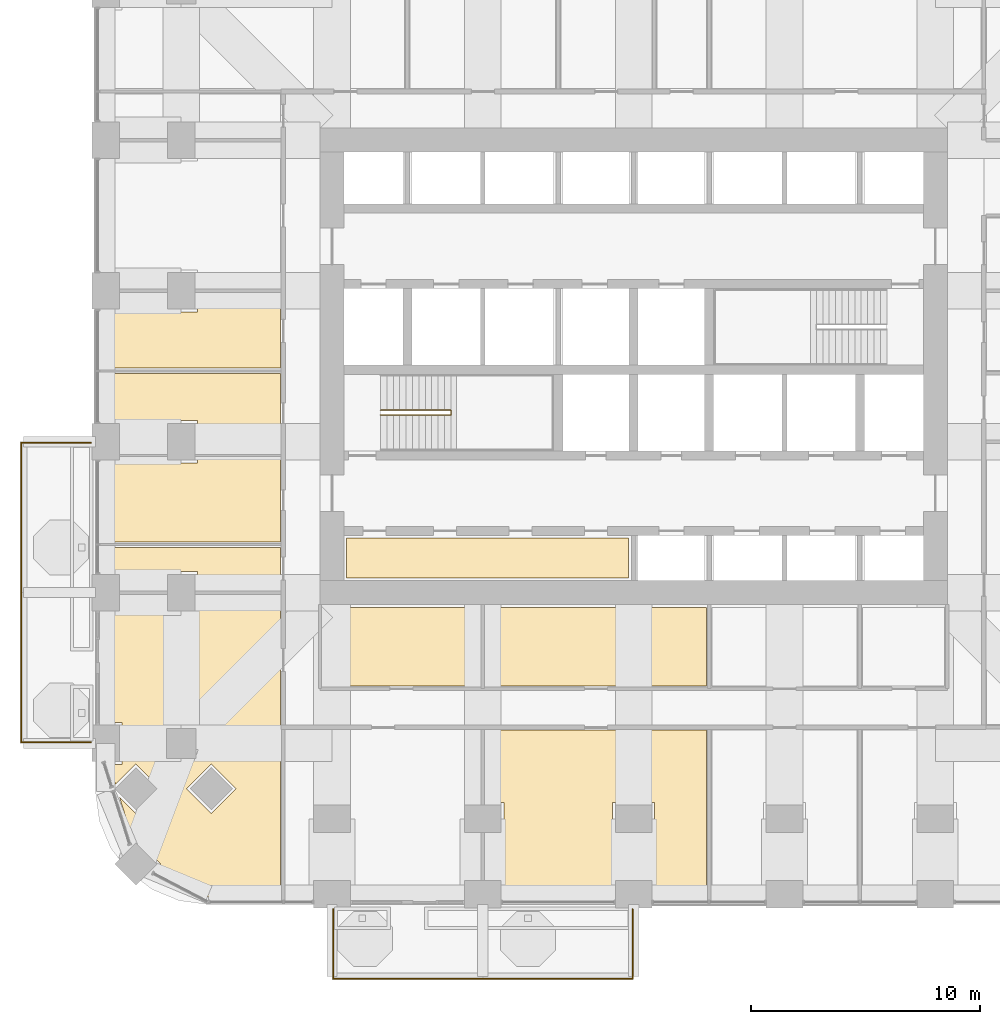
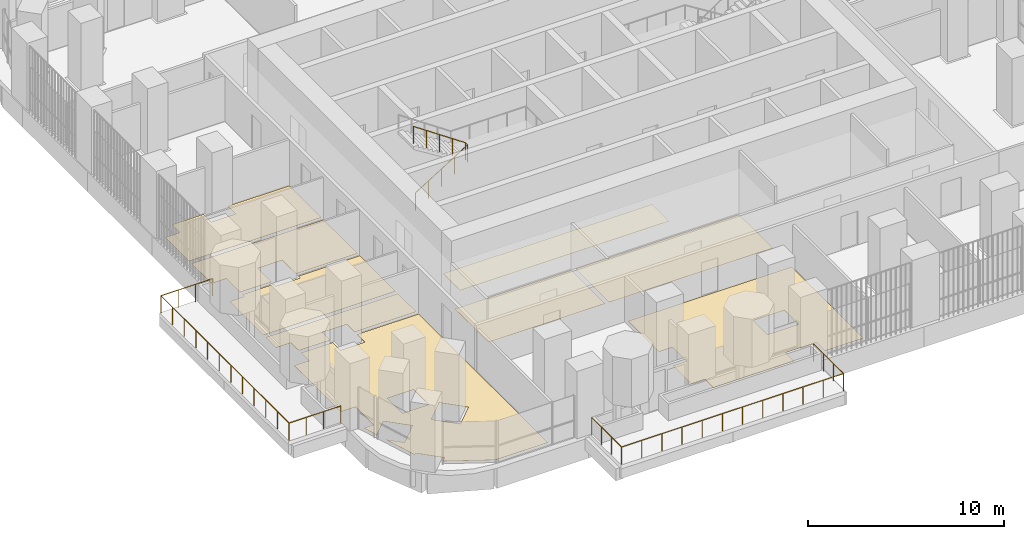
# One storey, part 17 of 21: 9 coverings, 3 railings.
"""IFC4 building model written with IfcOpenShell, lengths in metres."""

import ifcopenshell
import ifcopenshell.guid

model = None  # the IFC model being written
_history = None  # IfcOwnerHistory: only IFC2X3 demands one
_inside = {}  # id of a spatial element -> (the spatial element, [elements in it])
_under = {}  # id of a project, library or spatial element -> (it, [spatial elements below it])
_declared = {}  # id of a project -> (the project, [libraries it declares])
_typed = {}  # id of a type object -> (the type object, [elements of that type])
_made_of = {}  # id of a material, layer set ... -> (it, [elements and type objects made of it])


def new_model(schema):
    """Start an empty IFC model of exactly this schema.

    Asked for "IFC4X3", IfcOpenShell would pick the latest addendum, in which some entities
    have other attributes; the version numbers below select the first issue.
    IFC2X3 requires an IfcOwnerHistory on every rooted entity: one is made here for all.
    """
    global model, _history
    if schema == "IFC4X3":
        model = ifcopenshell.file(schema_version=(4, 3, 0, 0))
    else:
        model = ifcopenshell.file(schema=schema)
    _inside.clear()
    _under.clear()
    _declared.clear()
    _typed.clear()
    _made_of.clear()
    _history = None
    if model.schema == "IFC2X3":
        org = make("IfcOrganization", Name="unknown")
        user = make(
            "IfcPersonAndOrganization",
            ThePerson=make("IfcPerson", FamilyName="unknown"),
            TheOrganization=org,
        )
        app = make(
            "IfcApplication",
            ApplicationDeveloper=org,
            Version="unknown",
            ApplicationFullName="unknown",
            ApplicationIdentifier="unknown",
        )
        _history = make(
            "IfcOwnerHistory",
            OwningUser=user,
            OwningApplication=app,
            ChangeAction="ADDED",
            CreationDate=0,
        )
    return model


def make(cls, **values):
    """One entity of the class cls with the attributes given. An attribute that is None is left unset."""
    return model.create_entity(
        cls, **{name: value for name, value in values.items() if value is not None}
    )


def rooted(cls, **values):
    """An entity with a GlobalId (a new one), such as an element, a storey or a relation."""
    return make(cls, GlobalId=ifcopenshell.guid.new(), OwnerHistory=_history, **values)


def si_unit(unit_type, name, prefix=None):
    """IfcSIUnit, for example si_unit("LENGTHUNIT", "METRE", prefix="MILLI")."""
    return make("IfcSIUnit", UnitType=unit_type, Prefix=prefix, Name=name)


def assignment(units):
    """IfcUnitAssignment: the units of a project."""
    return None if units is None else make("IfcUnitAssignment", Units=units)


def point(xyz):
    """IfcCartesianPoint."""
    return None if xyz is None else make("IfcCartesianPoint", Coordinates=xyz)


def direction(xyz):
    """IfcDirection."""
    return None if xyz is None else make("IfcDirection", DirectionRatios=xyz)


def frame(location, z_axis=None, x_axis=None):
    """IfcAxis2Placement3D, a coordinate frame: its origin and axes. An axis left out is left unset."""
    return make(
        "IfcAxis2Placement3D",
        Location=point(location),
        Axis=direction(z_axis),
        RefDirection=direction(x_axis),
    )


def origin():
    """The frame at (0, 0, 0) with its axes left unset."""
    return frame((0.0, 0.0, 0.0))


def place(relative_to, where):
    """IfcLocalPlacement: puts the frame where relative to a parent placement (None: the world)."""
    return make(
        "IfcLocalPlacement", PlacementRelTo=relative_to, RelativePlacement=where
    )


def context(
    kind, dimensions, precision=None, world=None, true_north=None, identifier=None
):
    """IfcGeometricRepresentationContext, for example the 3D "Model" context."""
    return make(
        "IfcGeometricRepresentationContext",
        ContextIdentifier=identifier,
        ContextType=kind,
        CoordinateSpaceDimension=dimensions,
        Precision=precision,
        WorldCoordinateSystem=world,
        TrueNorth=true_north,
    )


def subcontext(parent, identifier, kind, view, scale=None):
    """IfcGeometricRepresentationSubContext, for example "Body" below "Model"."""
    return make(
        "IfcGeometricRepresentationSubContext",
        ContextIdentifier=identifier,
        ContextType=kind,
        ParentContext=parent,
        TargetScale=scale,
        TargetView=view,
    )


def project(units=None, contexts=None):
    """IfcProject with its units and contexts."""
    return rooted(
        "IfcProject",
        Name="project",
        RepresentationContexts=contexts,
        UnitsInContext=assignment(units),
    )


def spatial(cls, under=None, at=None, **own):
    """A site, building, storey or space (cls), placed at a placement, below another one or the project."""
    s = rooted(cls, ObjectPlacement=at, **own)
    if under is not None:
        _under.setdefault(under.id(), (under, []))[1].append(s)
    return s


def polyline(points):
    """IfcPolyline through the points."""
    return make("IfcPolyline", Points=[point(p) for p in points])


def outline(outer, holes=None, kind="AREA"):
    """IfcArbitraryClosedProfileDef: a profile drawn as a closed curve; with holes, ...WithVoids."""
    if holes is None:
        return make("IfcArbitraryClosedProfileDef", ProfileType=kind, OuterCurve=outer)
    return make(
        "IfcArbitraryProfileDefWithVoids",
        ProfileType=kind,
        OuterCurve=outer,
        InnerCurves=holes,
    )


def extrude(swept, where, along, depth):
    """IfcExtrudedAreaSolid: the profile swept, set in the frame where, extruded along a direction by depth."""
    return make(
        "IfcExtrudedAreaSolid",
        SweptArea=swept,
        Position=where,
        ExtrudedDirection=direction(along),
        Depth=depth,
    )


def shape(context_of_items, identifier, shape_type, items):
    """IfcShapeRepresentation: the items that make up one representation, for example the "Body"."""
    return make(
        "IfcShapeRepresentation",
        ContextOfItems=context_of_items,
        RepresentationIdentifier=identifier,
        RepresentationType=shape_type,
        Items=items,
    )


def material(Name=None, Category=None):
    """IfcMaterial."""
    return make("IfcMaterial", Name=Name, Category=Category)


def layer(
    of_material, thickness, ventilated=None, Name=None, Category=None, Priority=None
):
    """IfcMaterialLayer: one layer of a wall or slab, of a material (None: an air gap)."""
    return make(
        "IfcMaterialLayer",
        Material=of_material,
        LayerThickness=thickness,
        IsVentilated=ventilated,
        Name=Name,
        Category=Category,
        Priority=Priority,
    )


def layer_set(layers, Name=None):
    """IfcMaterialLayerSet."""
    return make("IfcMaterialLayerSet", MaterialLayers=layers, LayerSetName=Name)


def made_of(thing, what):
    """Note that an element or type object is made of a material, layer set ...; save() writes the relation."""
    if what is not None:
        _made_of.setdefault(what.id(), (what, []))[1].append(thing)
    return thing


def type_object(cls, material=None, **own):
    """A type object (cls), such as IfcWallType, which elements share."""
    return made_of(rooted(cls, **own), material)


def element(
    cls,
    number,
    at=None,
    inside=None,
    cuts=None,
    type_object=None,
    material=None,
    context=None,
    identifier="Body",
    shape_type=None,
    held_by="IfcProductDefinitionShape",
    body=None,
    shapes=None,
    **own,
):
    """One element of the class cls, such as IfcWall. Its Tag is "e" and its number.

    at: its placement. inside: the storey or other place that contains it. cuts: it is an
    opening in that element (IfcRelVoidsElement). A single representation is given by context,
    identifier, shape_type and body (its items); several are given by shapes. held_by: the class
    of the entity that holds the representations. save() writes the other relations.
    """
    e = rooted(cls, Tag="e%d" % number, ObjectPlacement=at, **own)
    if body is not None:
        shapes = [shape(context, identifier, shape_type, body)]
    if shapes is not None:
        e.Representation = make(held_by, Representations=shapes)
    if inside is not None:
        _inside.setdefault(inside.id(), (inside, []))[1].append(e)
    if cuts is not None:
        rooted(
            "IfcRelVoidsElement", RelatingBuildingElement=cuts, RelatedOpeningElement=e
        )
    if type_object is not None:
        _typed.setdefault(type_object.id(), (type_object, []))[1].append(e)
    return made_of(e, material)


def aggregate(whole, parts):
    """IfcRelAggregates: a whole, such as a stair, and the parts it consists of."""
    return rooted("IfcRelAggregates", RelatingObject=whole, RelatedObjects=parts)


def save(model, path):
    """Write the relations noted so far, then the file.

    IfcRelAggregates (storeys below a building ...), IfcRelContainedInSpatialStructure (elements
    in a storey), IfcRelDefinesByType, IfcRelAssociatesMaterial and IfcRelDeclares: one each for
    every whole, place, type object, material and project.
    """
    for whole, parts in _under.values():
        aggregate(whole, parts)
    for where, things in _inside.values():
        rooted(
            "IfcRelContainedInSpatialStructure",
            RelatedElements=things,
            RelatingStructure=where,
        )
    for kind, things in _typed.values():
        rooted("IfcRelDefinesByType", RelatedObjects=things, RelatingType=kind)
    for what, things in _made_of.values():
        rooted("IfcRelAssociatesMaterial", RelatedObjects=things, RelatingMaterial=what)
    for by, libraries in _declared.values():
        rooted("IfcRelDeclares", RelatingContext=by, RelatedDefinitions=libraries)
    model.write(path)


model = new_model("IFC4")

# Units and contexts
model_context = context("Model", 3, precision=1e-05, world=origin(), true_north=direction((0.0, 1.0)))
body_context = subcontext(model_context, "Body", "Model", "MODEL_VIEW")
ifc_project = project(units=[si_unit("LENGTHUNIT", "METRE"), si_unit("AREAUNIT", "SQUARE_METRE"), si_unit("VOLUMEUNIT", "CUBIC_METRE"), si_unit("PLANEANGLEUNIT", "RADIAN"), si_unit("MASSUNIT", "GRAM", prefix="KILO")], contexts=[model_context])

# Site, building, storey
site_placement = place(None, origin())
site = spatial("IfcSite", under=ifc_project, at=site_placement, CompositionType="ELEMENT")
building_placement = place(site_placement, origin())
building = spatial("IfcBuilding", under=site, at=building_placement, Name="Cobogo Forest Laboratory Tower", CompositionType="ELEMENT")
storey_placement = place(building_placement, frame((0.0, 0.0, 141.0)))
storey = spatial("IfcBuildingStorey", under=building, at=storey_placement, Name="L32", CompositionType="ELEMENT", Elevation=141.0)

# Railings
ifc_material_1 = material(Name="Laminated glass balustrade", Category="glass")
railing_type_1 = type_object("IfcRailingType", Name="BG1 glass balustrade 1100", PredefinedType="GUARDRAIL", material=ifc_material_1)
railing_1_placement = place(storey_placement, frame((13.25, -0.64990234375, 0.0)))
element("IfcRailing", 1, at=railing_1_placement, inside=storey, type_object=railing_type_1, Name="Balcony balustrade BAL-S1 L32", PredefinedType="GUARDRAIL", context=body_context, shape_type="SweptSolid", body=[
    extrude(outline(polyline([(0.022216796875, 0.00927734375), (0.00927734375, 0.022216796875), (-0.00927734375, 0.022216796875), (-0.022216796875, 0.00927734375), (-0.022216796875, -0.00927734375), (-0.00927734375, -0.022216796875), (0.00927734375, -0.022216796875), (0.022216796875, -0.00927734375), (0.022216796875, 0.00927734375)])), frame((0.0, 0.0, 1.077880859375), z_axis=(0.0, -1.0, 0.0), x_axis=(1.0, 0.0, 0.0)), (0.0, 0.0, 1.0), 3.050048828125),
    extrude(outline(polyline([(0.022216796875, 0.00927734375), (0.00927734375, 0.022216796875), (-0.00927734375, 0.022216796875), (-0.022216796875, 0.00927734375), (-0.022216796875, -0.00927734375), (-0.00927734375, -0.022216796875), (0.00927734375, -0.022216796875), (0.022216796875, -0.00927734375), (0.022216796875, 0.00927734375)])), frame((0.0, -3.050048828125, 1.077880859375), z_axis=(1.0, 0.0, 0.0), x_axis=(0.0, 1.0, 0.0)), (0.0, 0.0, 1.0), 13.10009765625),
    extrude(outline(polyline([(0.022216796875, 0.00927734375), (0.00927734375, 0.022216796875), (-0.00927734375, 0.022216796875), (-0.022216796875, 0.00927734375), (-0.022216796875, -0.00927734375), (-0.00927734375, -0.022216796875), (0.00927734375, -0.022216796875), (0.022216796875, -0.00927734375), (0.022216796875, 0.00927734375)])), frame((13.10009765625, -3.050048828125, 1.077880859375), z_axis=(0.0, 1.0, 0.0), x_axis=(-1.0, 0.0, 0.0)), (0.0, 0.0, 1.0), 3.050048828125),
    extrude(outline(polyline([(0.019287109375, 0.008056640625), (0.008056640625, 0.019287109375), (-0.008056640625, 0.019287109375), (-0.019287109375, 0.008056640625), (-0.019287109375, -0.008056640625), (-0.008056640625, -0.019287109375), (0.008056640625, -0.019287109375), (0.019287109375, -0.008056640625), (0.019287109375, 0.008056640625)])), origin(), (0.0, 0.0, 1.0), 1.077880859375),
    extrude(outline(polyline([(0.019287109375, 0.008056640625), (0.008056640625, 0.019287109375), (-0.008056640625, 0.019287109375), (-0.019287109375, 0.008056640625), (-0.019287109375, -0.008056640625), (-0.008056640625, -0.019287109375), (0.008056640625, -0.019287109375), (0.019287109375, -0.008056640625), (0.019287109375, 0.008056640625)])), frame((0.0, -1.0166015625, 0.0)), (0.0, 0.0, 1.0), 1.077880859375),
    extrude(outline(polyline([(0.019287109375, 0.008056640625), (0.008056640625, 0.019287109375), (-0.008056640625, 0.019287109375), (-0.019287109375, 0.008056640625), (-0.019287109375, -0.008056640625), (-0.008056640625, -0.019287109375), (0.008056640625, -0.019287109375), (0.019287109375, -0.008056640625), (0.019287109375, 0.008056640625)])), frame((0.0, -2.033447265625, 0.0)), (0.0, 0.0, 1.0), 1.077880859375),
    extrude(outline(polyline([(0.019287109375, 0.008056640625), (0.008056640625, 0.019287109375), (-0.008056640625, 0.019287109375), (-0.019287109375, 0.008056640625), (-0.019287109375, -0.008056640625), (-0.008056640625, -0.019287109375), (0.008056640625, -0.019287109375), (0.019287109375, -0.008056640625), (0.019287109375, 0.008056640625)])), frame((0.0, -3.050048828125, 0.0)), (0.0, 0.0, 1.0), 1.077880859375),
    extrude(outline(polyline([(0.019287109375, 0.008056640625), (0.008056640625, 0.019287109375), (-0.008056640625, 0.019287109375), (-0.019287109375, 0.008056640625), (-0.019287109375, -0.008056640625), (-0.008056640625, -0.019287109375), (0.008056640625, -0.019287109375), (0.019287109375, -0.008056640625), (0.019287109375, 0.008056640625)])), frame((1.19091796875, -3.050048828125, 0.0)), (0.0, 0.0, 1.0), 1.077880859375),
    extrude(outline(polyline([(0.019287109375, 0.008056640625), (0.008056640625, 0.019287109375), (-0.008056640625, 0.019287109375), (-0.019287109375, 0.008056640625), (-0.019287109375, -0.008056640625), (-0.008056640625, -0.019287109375), (0.008056640625, -0.019287109375), (0.019287109375, -0.008056640625), (0.019287109375, 0.008056640625)])), frame((2.3818359375, -3.050048828125, 0.0)), (0.0, 0.0, 1.0), 1.077880859375),
    extrude(outline(polyline([(0.019287109375, 0.008056640625), (0.008056640625, 0.019287109375), (-0.008056640625, 0.019287109375), (-0.019287109375, 0.008056640625), (-0.019287109375, -0.008056640625), (-0.008056640625, -0.019287109375), (0.008056640625, -0.019287109375), (0.019287109375, -0.008056640625), (0.019287109375, 0.008056640625)])), frame((3.57275390625, -3.050048828125, 0.0)), (0.0, 0.0, 1.0), 1.077880859375),
    extrude(outline(polyline([(0.019287109375, 0.008056640625), (0.008056640625, 0.019287109375), (-0.008056640625, 0.019287109375), (-0.019287109375, 0.008056640625), (-0.019287109375, -0.008056640625), (-0.008056640625, -0.019287109375), (0.008056640625, -0.019287109375), (0.019287109375, -0.008056640625), (0.019287109375, 0.008056640625)])), frame((4.763671875, -3.050048828125, 0.0)), (0.0, 0.0, 1.0), 1.077880859375),
    extrude(outline(polyline([(0.019287109375, 0.008056640625), (0.008056640625, 0.019287109375), (-0.008056640625, 0.019287109375), (-0.019287109375, 0.008056640625), (-0.019287109375, -0.008056640625), (-0.008056640625, -0.019287109375), (0.008056640625, -0.019287109375), (0.019287109375, -0.008056640625), (0.019287109375, 0.008056640625)])), frame((5.95458984375, -3.050048828125, 0.0)), (0.0, 0.0, 1.0), 1.077880859375),
    extrude(outline(polyline([(0.019287109375, 0.008056640625), (0.008056640625, 0.019287109375), (-0.008056640625, 0.019287109375), (-0.019287109375, 0.008056640625), (-0.019287109375, -0.008056640625), (-0.008056640625, -0.019287109375), (0.008056640625, -0.019287109375), (0.019287109375, -0.008056640625), (0.019287109375, 0.008056640625)])), frame((7.1455078125, -3.050048828125, 0.0)), (0.0, 0.0, 1.0), 1.077880859375),
    extrude(outline(polyline([(0.019287109375, 0.008056640625), (0.008056640625, 0.019287109375), (-0.008056640625, 0.019287109375), (-0.019287109375, 0.008056640625), (-0.019287109375, -0.008056640625), (-0.008056640625, -0.019287109375), (0.008056640625, -0.019287109375), (0.019287109375, -0.008056640625), (0.019287109375, 0.008056640625)])), frame((8.33642578125, -3.050048828125, 0.0)), (0.0, 0.0, 1.0), 1.077880859375),
    extrude(outline(polyline([(0.019287109375, 0.008056640625), (0.008056640625, 0.019287109375), (-0.008056640625, 0.019287109375), (-0.019287109375, 0.008056640625), (-0.019287109375, -0.008056640625), (-0.008056640625, -0.019287109375), (0.008056640625, -0.019287109375), (0.019287109375, -0.008056640625), (0.019287109375, 0.008056640625)])), frame((9.52734375, -3.050048828125, 0.0)), (0.0, 0.0, 1.0), 1.077880859375),
    extrude(outline(polyline([(0.019287109375, 0.008056640625), (0.008056640625, 0.019287109375), (-0.008056640625, 0.019287109375), (-0.019287109375, 0.008056640625), (-0.019287109375, -0.008056640625), (-0.008056640625, -0.019287109375), (0.008056640625, -0.019287109375), (0.019287109375, -0.008056640625), (0.019287109375, 0.008056640625)])), frame((10.71826171875, -3.050048828125, 0.0)), (0.0, 0.0, 1.0), 1.077880859375),
    extrude(outline(polyline([(0.019287109375, 0.008056640625), (0.008056640625, 0.019287109375), (-0.008056640625, 0.019287109375), (-0.019287109375, 0.008056640625), (-0.019287109375, -0.008056640625), (-0.008056640625, -0.019287109375), (0.008056640625, -0.019287109375), (0.019287109375, -0.008056640625), (0.019287109375, 0.008056640625)])), frame((11.9091796875, -3.050048828125, 0.0)), (0.0, 0.0, 1.0), 1.077880859375),
    extrude(outline(polyline([(0.019287109375, 0.008056640625), (0.008056640625, 0.019287109375), (-0.008056640625, 0.019287109375), (-0.019287109375, 0.008056640625), (-0.019287109375, -0.008056640625), (-0.008056640625, -0.019287109375), (0.008056640625, -0.019287109375), (0.019287109375, -0.008056640625), (0.019287109375, 0.008056640625)])), frame((13.10009765625, -3.050048828125, 0.0)), (0.0, 0.0, 1.0), 1.077880859375),
    extrude(outline(polyline([(0.019287109375, 0.008056640625), (0.008056640625, 0.019287109375), (-0.008056640625, 0.019287109375), (-0.019287109375, 0.008056640625), (-0.019287109375, -0.008056640625), (-0.008056640625, -0.019287109375), (0.008056640625, -0.019287109375), (0.019287109375, -0.008056640625), (0.019287109375, 0.008056640625)])), frame((13.10009765625, -2.033447265625, 0.0)), (0.0, 0.0, 1.0), 1.077880859375),
    extrude(outline(polyline([(0.019287109375, 0.008056640625), (0.008056640625, 0.019287109375), (-0.008056640625, 0.019287109375), (-0.019287109375, 0.008056640625), (-0.019287109375, -0.008056640625), (-0.008056640625, -0.019287109375), (0.008056640625, -0.019287109375), (0.019287109375, -0.008056640625), (0.019287109375, 0.008056640625)])), frame((13.10009765625, -1.0166015625, 0.0)), (0.0, 0.0, 1.0), 1.077880859375),
    extrude(outline(polyline([(0.019287109375, 0.008056640625), (0.008056640625, 0.019287109375), (-0.008056640625, 0.019287109375), (-0.019287109375, 0.008056640625), (-0.019287109375, -0.008056640625), (-0.008056640625, -0.019287109375), (0.008056640625, -0.019287109375), (0.019287109375, -0.008056640625), (0.019287109375, 0.008056640625)])), frame((13.10009765625, 0.0, 0.0)), (0.0, 0.0, 1.0), 1.077880859375),
])
railing_2_placement = place(storey_placement, frame((2.64990234375, 6.64990234375, 0.0)))
element("IfcRailing", 2, at=railing_2_placement, inside=storey, type_object=railing_type_1, Name="Balcony balustrade BAL-W1 L32", PredefinedType="GUARDRAIL", context=body_context, shape_type="SweptSolid", body=[
    extrude(outline(polyline([(0.022216796875, 0.00927734375), (0.00927734375, 0.022216796875), (-0.00927734375, 0.022216796875), (-0.022216796875, 0.00927734375), (-0.022216796875, -0.00927734375), (-0.00927734375, -0.022216796875), (0.00927734375, -0.022216796875), (0.022216796875, -0.00927734375), (0.022216796875, 0.00927734375)])), frame((0.0, 0.0, 1.077880859375), z_axis=(-1.0, 0.0, 0.0), x_axis=(0.0, -1.0, 0.0)), (0.0, 0.0, 1.0), 3.0498046875),
    extrude(outline(polyline([(0.022216796875, 0.00927734375), (0.00927734375, 0.022216796875), (-0.00927734375, 0.022216796875), (-0.022216796875, 0.00927734375), (-0.022216796875, -0.00927734375), (-0.00927734375, -0.022216796875), (0.00927734375, -0.022216796875), (0.022216796875, -0.00927734375), (0.022216796875, 0.00927734375)])), frame((-3.0498046875, 0.0, 1.077880859375), z_axis=(0.0, 1.0, 0.0), x_axis=(-1.0, 0.0, 0.0)), (0.0, 0.0, 1.0), 13.10009765625),
    extrude(outline(polyline([(0.022216796875, 0.00927734375), (0.00927734375, 0.022216796875), (-0.00927734375, 0.022216796875), (-0.022216796875, 0.00927734375), (-0.022216796875, -0.00927734375), (-0.00927734375, -0.022216796875), (0.00927734375, -0.022216796875), (0.022216796875, -0.00927734375), (0.022216796875, 0.00927734375)])), frame((-3.0498046875, 13.10009765625, 1.077880859375), z_axis=(1.0, 0.0, 0.0), x_axis=(0.0, 1.0, 0.0)), (0.0, 0.0, 1.0), 3.0498046875),
    extrude(outline(polyline([(0.019287109375, 0.008056640625), (0.008056640625, 0.019287109375), (-0.008056640625, 0.019287109375), (-0.019287109375, 0.008056640625), (-0.019287109375, -0.008056640625), (-0.008056640625, -0.019287109375), (0.008056640625, -0.019287109375), (0.019287109375, -0.008056640625), (0.019287109375, 0.008056640625)])), origin(), (0.0, 0.0, 1.0), 1.077880859375),
    extrude(outline(polyline([(0.019287109375, 0.008056640625), (0.008056640625, 0.019287109375), (-0.008056640625, 0.019287109375), (-0.019287109375, 0.008056640625), (-0.019287109375, -0.008056640625), (-0.008056640625, -0.019287109375), (0.008056640625, -0.019287109375), (0.019287109375, -0.008056640625), (0.019287109375, 0.008056640625)])), frame((-1.0166015625, 0.0, 0.0)), (0.0, 0.0, 1.0), 1.077880859375),
    extrude(outline(polyline([(0.019287109375, 0.008056640625), (0.008056640625, 0.019287109375), (-0.008056640625, 0.019287109375), (-0.019287109375, 0.008056640625), (-0.019287109375, -0.008056640625), (-0.008056640625, -0.019287109375), (0.008056640625, -0.019287109375), (0.019287109375, -0.008056640625), (0.019287109375, 0.008056640625)])), frame((-2.033203125, 0.0, 0.0)), (0.0, 0.0, 1.0), 1.077880859375),
    extrude(outline(polyline([(0.019287109375, 0.008056640625), (0.008056640625, 0.019287109375), (-0.008056640625, 0.019287109375), (-0.019287109375, 0.008056640625), (-0.019287109375, -0.008056640625), (-0.008056640625, -0.019287109375), (0.008056640625, -0.019287109375), (0.019287109375, -0.008056640625), (0.019287109375, 0.008056640625)])), frame((-3.0498046875, 0.0, 0.0)), (0.0, 0.0, 1.0), 1.077880859375),
    extrude(outline(polyline([(0.019287109375, 0.008056640625), (0.008056640625, 0.019287109375), (-0.008056640625, 0.019287109375), (-0.019287109375, 0.008056640625), (-0.019287109375, -0.008056640625), (-0.008056640625, -0.019287109375), (0.008056640625, -0.019287109375), (0.019287109375, -0.008056640625), (0.019287109375, 0.008056640625)])), frame((-3.0498046875, 1.19091796875, 0.0)), (0.0, 0.0, 1.0), 1.077880859375),
    extrude(outline(polyline([(0.019287109375, 0.008056640625), (0.008056640625, 0.019287109375), (-0.008056640625, 0.019287109375), (-0.019287109375, 0.008056640625), (-0.019287109375, -0.008056640625), (-0.008056640625, -0.019287109375), (0.008056640625, -0.019287109375), (0.019287109375, -0.008056640625), (0.019287109375, 0.008056640625)])), frame((-3.0498046875, 2.3818359375, 0.0)), (0.0, 0.0, 1.0), 1.077880859375),
    extrude(outline(polyline([(0.019287109375, 0.008056640625), (0.008056640625, 0.019287109375), (-0.008056640625, 0.019287109375), (-0.019287109375, 0.008056640625), (-0.019287109375, -0.008056640625), (-0.008056640625, -0.019287109375), (0.008056640625, -0.019287109375), (0.019287109375, -0.008056640625), (0.019287109375, 0.008056640625)])), frame((-3.0498046875, 3.57275390625, 0.0)), (0.0, 0.0, 1.0), 1.077880859375),
    extrude(outline(polyline([(0.019287109375, 0.008056640625), (0.008056640625, 0.019287109375), (-0.008056640625, 0.019287109375), (-0.019287109375, 0.008056640625), (-0.019287109375, -0.008056640625), (-0.008056640625, -0.019287109375), (0.008056640625, -0.019287109375), (0.019287109375, -0.008056640625), (0.019287109375, 0.008056640625)])), frame((-3.0498046875, 4.763671875, 0.0)), (0.0, 0.0, 1.0), 1.077880859375),
    extrude(outline(polyline([(0.019287109375, 0.008056640625), (0.008056640625, 0.019287109375), (-0.008056640625, 0.019287109375), (-0.019287109375, 0.008056640625), (-0.019287109375, -0.008056640625), (-0.008056640625, -0.019287109375), (0.008056640625, -0.019287109375), (0.019287109375, -0.008056640625), (0.019287109375, 0.008056640625)])), frame((-3.0498046875, 5.95458984375, 0.0)), (0.0, 0.0, 1.0), 1.077880859375),
    extrude(outline(polyline([(0.019287109375, 0.008056640625), (0.008056640625, 0.019287109375), (-0.008056640625, 0.019287109375), (-0.019287109375, 0.008056640625), (-0.019287109375, -0.008056640625), (-0.008056640625, -0.019287109375), (0.008056640625, -0.019287109375), (0.019287109375, -0.008056640625), (0.019287109375, 0.008056640625)])), frame((-3.0498046875, 7.1455078125, 0.0)), (0.0, 0.0, 1.0), 1.077880859375),
    extrude(outline(polyline([(0.019287109375, 0.008056640625), (0.008056640625, 0.019287109375), (-0.008056640625, 0.019287109375), (-0.019287109375, 0.008056640625), (-0.019287109375, -0.008056640625), (-0.008056640625, -0.019287109375), (0.008056640625, -0.019287109375), (0.019287109375, -0.008056640625), (0.019287109375, 0.008056640625)])), frame((-3.0498046875, 8.33642578125, 0.0)), (0.0, 0.0, 1.0), 1.077880859375),
    extrude(outline(polyline([(0.019287109375, 0.008056640625), (0.008056640625, 0.019287109375), (-0.008056640625, 0.019287109375), (-0.019287109375, 0.008056640625), (-0.019287109375, -0.008056640625), (-0.008056640625, -0.019287109375), (0.008056640625, -0.019287109375), (0.019287109375, -0.008056640625), (0.019287109375, 0.008056640625)])), frame((-3.0498046875, 9.52734375, 0.0)), (0.0, 0.0, 1.0), 1.077880859375),
    extrude(outline(polyline([(0.019287109375, 0.008056640625), (0.008056640625, 0.019287109375), (-0.008056640625, 0.019287109375), (-0.019287109375, 0.008056640625), (-0.019287109375, -0.008056640625), (-0.008056640625, -0.019287109375), (0.008056640625, -0.019287109375), (0.019287109375, -0.008056640625), (0.019287109375, 0.008056640625)])), frame((-3.0498046875, 10.71826171875, 0.0)), (0.0, 0.0, 1.0), 1.077880859375),
    extrude(outline(polyline([(0.019287109375, 0.008056640625), (0.008056640625, 0.019287109375), (-0.008056640625, 0.019287109375), (-0.019287109375, 0.008056640625), (-0.019287109375, -0.008056640625), (-0.008056640625, -0.019287109375), (0.008056640625, -0.019287109375), (0.019287109375, -0.008056640625), (0.019287109375, 0.008056640625)])), frame((-3.0498046875, 11.9091796875, 0.0)), (0.0, 0.0, 1.0), 1.077880859375),
    extrude(outline(polyline([(0.019287109375, 0.008056640625), (0.008056640625, 0.019287109375), (-0.008056640625, 0.019287109375), (-0.019287109375, 0.008056640625), (-0.019287109375, -0.008056640625), (-0.008056640625, -0.019287109375), (0.008056640625, -0.019287109375), (0.019287109375, -0.008056640625), (0.019287109375, 0.008056640625)])), frame((-3.0498046875, 13.10009765625, 0.0)), (0.0, 0.0, 1.0), 1.077880859375),
    extrude(outline(polyline([(0.019287109375, 0.008056640625), (0.008056640625, 0.019287109375), (-0.008056640625, 0.019287109375), (-0.019287109375, 0.008056640625), (-0.019287109375, -0.008056640625), (-0.008056640625, -0.019287109375), (0.008056640625, -0.019287109375), (0.019287109375, -0.008056640625), (0.019287109375, 0.008056640625)])), frame((-2.033203125, 13.10009765625, 0.0)), (0.0, 0.0, 1.0), 1.077880859375),
    extrude(outline(polyline([(0.019287109375, 0.008056640625), (0.008056640625, 0.019287109375), (-0.008056640625, 0.019287109375), (-0.019287109375, 0.008056640625), (-0.019287109375, -0.008056640625), (-0.008056640625, -0.019287109375), (0.008056640625, -0.019287109375), (0.019287109375, -0.008056640625), (0.019287109375, 0.008056640625)])), frame((-1.0166015625, 13.10009765625, 0.0)), (0.0, 0.0, 1.0), 1.077880859375),
    extrude(outline(polyline([(0.019287109375, 0.008056640625), (0.008056640625, 0.019287109375), (-0.008056640625, 0.019287109375), (-0.019287109375, 0.008056640625), (-0.019287109375, -0.008056640625), (-0.008056640625, -0.019287109375), (0.008056640625, -0.019287109375), (0.019287109375, -0.008056640625), (0.019287109375, 0.008056640625)])), frame((0.0, 13.10009765625, 0.0)), (0.0, 0.0, 1.0), 1.077880859375),
])

# Coverings
ifc_material_2 = material(Name="Carpet tile on raised access floor", Category="flooring")
ifc_layer_1 = layer(ifc_material_2, 0.008056640625)
ifc_layer_set_1 = layer_set([ifc_layer_1], Name="CT1 carpet tile floor 8")
covering_type_1 = type_object("IfcCoveringType", Name="CT1 carpet tile floor 8", PredefinedType="FLOORING", material=ifc_layer_set_1)
covering_1_placement = place(storey_placement, origin())
element("IfcCovering", 3, at=covering_1_placement, inside=storey, type_object=covering_type_1, Name="Carpet floor L32-06", PredefinedType="FLOORING", context=body_context, shape_type="SweptSolid", body=[
    extrude(outline(polyline([(29.580078125, 7.179931640625), (29.580078125, -0.14990234375), (27.320068359375, -0.14990234375), (27.320068359375, 0.719970703125), (25.47998046875, 0.719970703125), (25.47998046875, -0.14990234375), (20.719970703125, -0.14990234375), (20.719970703125, 0.719970703125), (19.919921875, 0.719970703125), (19.919921875, 2.580078125), (20.719970703125, 2.580078125), (20.719970703125, 4.02001953125), (19.919921875, 4.02001953125), (19.919921875, 7.179931640625), (29.580078125, 7.179931640625)]), holes=[polyline([(25.47998046875, 4.02001953125), (25.47998046875, 2.580078125), (27.320068359375, 2.580078125), (27.320068359375, 4.02001953125), (25.47998046875, 4.02001953125)])]), origin(), (0.0, 0.0, 1.0), 0.008056640625),
])
covering_2_placement = place(storey_placement, origin())
element("IfcCovering", 4, at=covering_2_placement, inside=storey, type_object=covering_type_1, Name="Carpet floor L32-23", PredefinedType="FLOORING", context=body_context, shape_type="SweptSolid", body=[
    extrude(outline(polyline([(3.904052734375, 4.2431640625), (4.617919921875, 3.529052734375), (5.70703125, 4.617919921875), (4.617919921875, 5.70703125), (3.72412109375, 4.81298828125), (3.4501953125, 5.679931640625), (4.02001953125, 5.679931640625), (4.02001953125, 7.52001953125), (3.14990234375, 7.52001953125), (3.14990234375, 12.280029296875), (4.02001953125, 12.280029296875), (4.02001953125, 13.080078125), (5.8798828125, 13.080078125), (5.8798828125, 12.280029296875), (7.320068359375, 12.280029296875), (7.320068359375, 13.080078125), (10.955078125, 13.080078125), (10.955078125, -0.14990234375), (7.84912109375, -0.14990234375), (5.480712890625, 1.091552734375), (5.70703125, 1.318115234375), (4.617919921875, 2.406982421875), (4.51611328125, 2.304931640625), (3.904052734375, 4.2431640625)]), holes=[polyline([(6.8291015625, 4.617919921875), (7.91796875, 3.529052734375), (9.007080078125, 4.617919921875), (7.91796875, 5.70703125), (6.8291015625, 4.617919921875)]), polyline([(5.830078125, 7.3701171875), (5.830078125, 5.830078125), (7.3701171875, 5.830078125), (7.3701171875, 7.3701171875), (5.830078125, 7.3701171875)])]), origin(), (0.0, 0.0, 1.0), 0.008056640625),
])
covering_3_placement = place(storey_placement, origin())
element("IfcCovering", 5, at=covering_3_placement, inside=storey, type_object=covering_type_1, Name="Carpet floor L32-37", PredefinedType="FLOORING", context=body_context, shape_type="SweptSolid", body=[
    extrude(outline(polyline([(26.179931640625, 13.844970703125), (13.844970703125, 13.844970703125), (13.844970703125, 15.580078125), (26.179931640625, 15.580078125), (26.179931640625, 13.844970703125)])), origin(), (0.0, 0.0, 1.0), 0.008056640625),
])

# Railing
ifc_material_3 = material(Name="Steel balustrade", Category="steel")
railing_type_2 = type_object("IfcRailingType", Name="GR stair guard 1100", PredefinedType="GUARDRAIL", material=ifc_material_3)
railing_3_placement = place(storey_placement, frame((15.324951171875, 20.969970703125, 0.175048828125)))
element("IfcRailing", 6, at=railing_3_placement, inside=storey, type_object=railing_type_2, Name="Stair guard ST1 L32", PredefinedType="GUARDRAIL", context=body_context, shape_type="SweptSolid", body=[
    extrude(outline(polyline([(0.022216796875, 0.00927734375), (0.00927734375, 0.022216796875), (-0.00927734375, 0.022216796875), (-0.022216796875, 0.00927734375), (-0.022216796875, -0.00927734375), (-0.00927734375, -0.022216796875), (0.00927734375, -0.022216796875), (0.022216796875, -0.00927734375), (0.022216796875, 0.00927734375)])), frame((0.0, 0.0, 1.077880859375), z_axis=(0.847998304005, 0.0, 0.529998940003), x_axis=(0.0, 1.0, 0.0)), (0.0, 0.0, 1.0), 3.632080078125),
    extrude(outline(polyline([(0.022216796875, 0.00927734375), (0.00927734375, 0.022216796875), (-0.00927734375, 0.022216796875), (-0.022216796875, 0.00927734375), (-0.022216796875, -0.00927734375), (-0.00927734375, -0.022216796875), (0.00927734375, -0.022216796875), (0.022216796875, -0.00927734375), (0.022216796875, 0.00927734375)])), frame((3.080078125, 0.0, 3.0029296875), z_axis=(0.0, 1.0, 0.0), x_axis=(-1.0, 0.0, 0.0)), (0.0, 0.0, 1.0), 0.2099609375),
    extrude(outline(polyline([(0.022216796875, 0.00927734375), (0.00927734375, 0.022216796875), (-0.00927734375, 0.022216796875), (-0.022216796875, 0.00927734375), (-0.022216796875, -0.00927734375), (-0.00927734375, -0.022216796875), (0.00927734375, -0.022216796875), (0.022216796875, -0.00927734375), (0.022216796875, 0.00927734375)])), frame((3.080078125, 0.2099609375, 3.0029296875), z_axis=(-0.826252282691, 0.0, 0.563300244406), x_axis=(0.0, -1.0, 0.0)), (0.0, 0.0, 1.0), 3.727783203125),
    extrude(outline(polyline([(0.019287109375, 0.008056640625), (0.008056640625, 0.019287109375), (-0.008056640625, 0.019287109375), (-0.019287109375, 0.008056640625), (-0.019287109375, -0.008056640625), (-0.008056640625, -0.019287109375), (0.008056640625, -0.019287109375), (0.019287109375, -0.008056640625), (0.019287109375, 0.008056640625)])), origin(), (0.0, 0.0, 1.0), 1.077880859375),
    extrude(outline(polyline([(0.019287109375, 0.008056640625), (0.008056640625, 0.019287109375), (-0.008056640625, 0.019287109375), (-0.019287109375, 0.008056640625), (-0.019287109375, -0.008056640625), (-0.008056640625, -0.019287109375), (0.008056640625, -0.019287109375), (0.019287109375, -0.008056640625), (0.019287109375, 0.008056640625)])), frame((0.77001953125, 0.0, 0.481201171875)), (0.0, 0.0, 1.0), 1.077880859375),
    extrude(outline(polyline([(0.019287109375, 0.008056640625), (0.008056640625, 0.019287109375), (-0.008056640625, 0.019287109375), (-0.019287109375, 0.008056640625), (-0.019287109375, -0.008056640625), (-0.008056640625, -0.019287109375), (0.008056640625, -0.019287109375), (0.019287109375, -0.008056640625), (0.019287109375, 0.008056640625)])), frame((1.5400390625, 0.0, 0.96240234375)), (0.0, 0.0, 1.0), 1.077880859375),
    extrude(outline(polyline([(0.019287109375, 0.008056640625), (0.008056640625, 0.019287109375), (-0.008056640625, 0.019287109375), (-0.019287109375, 0.008056640625), (-0.019287109375, -0.008056640625), (-0.008056640625, -0.019287109375), (0.008056640625, -0.019287109375), (0.019287109375, -0.008056640625), (0.019287109375, 0.008056640625)])), frame((2.31005859375, 0.0, 1.44384765625)), (0.0, 0.0, 1.0), 1.077880859375),
    extrude(outline(polyline([(0.019287109375, 0.008056640625), (0.008056640625, 0.019287109375), (-0.008056640625, 0.019287109375), (-0.019287109375, 0.008056640625), (-0.019287109375, -0.008056640625), (-0.008056640625, -0.019287109375), (0.008056640625, -0.019287109375), (0.019287109375, -0.008056640625), (0.019287109375, 0.008056640625)])), frame((3.080078125, 0.0, 1.925048828125)), (0.0, 0.0, 1.0), 1.077880859375),
    extrude(outline(polyline([(0.019287109375, 0.008056640625), (0.008056640625, 0.019287109375), (-0.008056640625, 0.019287109375), (-0.019287109375, 0.008056640625), (-0.019287109375, -0.008056640625), (-0.008056640625, -0.019287109375), (0.008056640625, -0.019287109375), (0.019287109375, -0.008056640625), (0.019287109375, 0.008056640625)])), frame((3.080078125, 0.2099609375, 1.925048828125)), (0.0, 0.0, 1.0), 1.077880859375),
    extrude(outline(polyline([(0.019287109375, 0.008056640625), (0.008056640625, 0.019287109375), (-0.008056640625, 0.019287109375), (-0.019287109375, 0.008056640625), (-0.019287109375, -0.008056640625), (-0.008056640625, -0.019287109375), (0.008056640625, -0.019287109375), (0.019287109375, -0.008056640625), (0.019287109375, 0.008056640625)])), frame((2.31005859375, 0.2099609375, 2.449951171875)), (0.0, 0.0, 1.0), 1.077880859375),
    extrude(outline(polyline([(0.019287109375, 0.008056640625), (0.008056640625, 0.019287109375), (-0.008056640625, 0.019287109375), (-0.019287109375, 0.008056640625), (-0.019287109375, -0.008056640625), (-0.008056640625, -0.019287109375), (0.008056640625, -0.019287109375), (0.019287109375, -0.008056640625), (0.019287109375, 0.008056640625)])), frame((1.5400390625, 0.2099609375, 2.97509765625)), (0.0, 0.0, 1.0), 1.077880859375),
    extrude(outline(polyline([(0.019287109375, 0.008056640625), (0.008056640625, 0.019287109375), (-0.008056640625, 0.019287109375), (-0.019287109375, 0.008056640625), (-0.019287109375, -0.008056640625), (-0.008056640625, -0.019287109375), (0.008056640625, -0.019287109375), (0.019287109375, -0.008056640625), (0.019287109375, 0.008056640625)])), frame((0.77001953125, 0.2099609375, 3.5)), (0.0, 0.0, 1.0), 1.077880859375),
    extrude(outline(polyline([(0.019287109375, 0.008056640625), (0.008056640625, 0.019287109375), (-0.008056640625, 0.019287109375), (-0.019287109375, 0.008056640625), (-0.019287109375, -0.008056640625), (-0.008056640625, -0.019287109375), (0.008056640625, -0.019287109375), (0.019287109375, -0.008056640625), (0.019287109375, 0.008056640625)])), frame((0.0, 0.2099609375, 4.02490234375)), (0.0, 0.0, 1.0), 1.077880859375),
])

# Coverings
ifc_material_4 = material(Name="Epoxy resin flooring", Category="flooring")
ifc_layer_2 = layer(ifc_material_4, 0.00390625)
ifc_layer_set_2 = layer_set([ifc_layer_2], Name="LF1 epoxy laboratory floor 4")
covering_type_2 = type_object("IfcCoveringType", Name="LF1 epoxy laboratory floor 4", PredefinedType="FLOORING", material=ifc_layer_set_2)
covering_4_placement = place(storey_placement, origin())
element("IfcCovering", 7, at=covering_4_placement, inside=storey, type_object=covering_type_2, Name="Epoxy laboratory floor L32-01", PredefinedType="FLOORING", context=body_context, shape_type="SweptSolid", body=[
    extrude(outline(polyline([(19.679931640625, 9.1201171875), (12.794921875, 9.1201171875), (12.794921875, 12.554931640625), (19.679931640625, 12.554931640625), (19.679931640625, 9.1201171875)])), origin(), (0.0, 0.0, 1.0), 0.00390625),
])
covering_5_placement = place(storey_placement, origin())
element("IfcCovering", 8, at=covering_5_placement, inside=storey, type_object=covering_type_2, Name="Epoxy laboratory floor L32-02", PredefinedType="FLOORING", context=body_context, shape_type="SweptSolid", body=[
    extrude(outline(polyline([(29.580078125, 9.1201171875), (19.919921875, 9.1201171875), (19.919921875, 12.554931640625), (29.580078125, 12.554931640625), (29.580078125, 9.1201171875)])), origin(), (0.0, 0.0, 1.0), 0.00390625),
])
ifc_material_5 = material(Name="Ceramic floor tile", Category="flooring")
ifc_layer_3 = layer(ifc_material_5, 0.010009765625)
ifc_layer_set_3 = layer_set([ifc_layer_3], Name="TF1 ceramic tile floor 10")
covering_type_3 = type_object("IfcCoveringType", Name="TF1 ceramic tile floor 10", PredefinedType="FLOORING", material=ifc_layer_set_3)
covering_6_placement = place(storey_placement, origin())
element("IfcCovering", 9, at=covering_6_placement, inside=storey, type_object=covering_type_3, Name="Tile floor L32-24", PredefinedType="FLOORING", context=body_context, shape_type="SweptSolid", body=[
    extrude(outline(polyline([(10.955078125, 13.320068359375), (7.320068359375, 13.320068359375), (7.320068359375, 14.1201171875), (5.8798828125, 14.1201171875), (5.8798828125, 13.320068359375), (4.02001953125, 13.320068359375), (4.02001953125, 14.1201171875), (3.14990234375, 14.1201171875), (3.14990234375, 15.179931640625), (10.955078125, 15.179931640625), (10.955078125, 13.320068359375)])), origin(), (0.0, 0.0, 1.0), 0.010009765625),
])
covering_7_placement = place(storey_placement, origin())
element("IfcCovering", 10, at=covering_7_placement, inside=storey, type_object=covering_type_3, Name="Tile floor L32-25", PredefinedType="FLOORING", context=body_context, shape_type="SweptSolid", body=[
    extrude(outline(polyline([(10.955078125, 15.419921875), (3.14990234375, 15.419921875), (3.14990234375, 18.8798828125), (4.02001953125, 18.8798828125), (4.02001953125, 19.080078125), (5.8798828125, 19.080078125), (5.8798828125, 18.8798828125), (7.320068359375, 18.8798828125), (7.320068359375, 19.080078125), (10.955078125, 19.080078125), (10.955078125, 15.419921875)])), origin(), (0.0, 0.0, 1.0), 0.010009765625),
])
covering_8_placement = place(storey_placement, origin())
element("IfcCovering", 11, at=covering_8_placement, inside=storey, type_object=covering_type_3, Name="Tile floor L32-26", PredefinedType="FLOORING", context=body_context, shape_type="SweptSolid", body=[
    extrude(outline(polyline([(10.955078125, 19.320068359375), (7.320068359375, 19.320068359375), (7.320068359375, 20.719970703125), (5.8798828125, 20.719970703125), (5.8798828125, 19.320068359375), (4.02001953125, 19.320068359375), (4.02001953125, 20.719970703125), (3.14990234375, 20.719970703125), (3.14990234375, 22.780029296875), (10.955078125, 22.780029296875), (10.955078125, 19.320068359375)])), origin(), (0.0, 0.0, 1.0), 0.010009765625),
])
covering_9_placement = place(storey_placement, origin())
element("IfcCovering", 12, at=covering_9_placement, inside=storey, type_object=covering_type_3, Name="Tile floor L32-27", PredefinedType="FLOORING", context=body_context, shape_type="SweptSolid", body=[
    extrude(outline(polyline([(10.955078125, 23.02001953125), (3.14990234375, 23.02001953125), (3.14990234375, 25.47998046875), (4.02001953125, 25.47998046875), (4.02001953125, 26.280029296875), (5.8798828125, 26.280029296875), (5.8798828125, 25.47998046875), (7.320068359375, 25.47998046875), (7.320068359375, 26.280029296875), (10.955078125, 26.280029296875), (10.955078125, 23.02001953125)])), origin(), (0.0, 0.0, 1.0), 0.010009765625),
])

save(model, "model.ifc")
